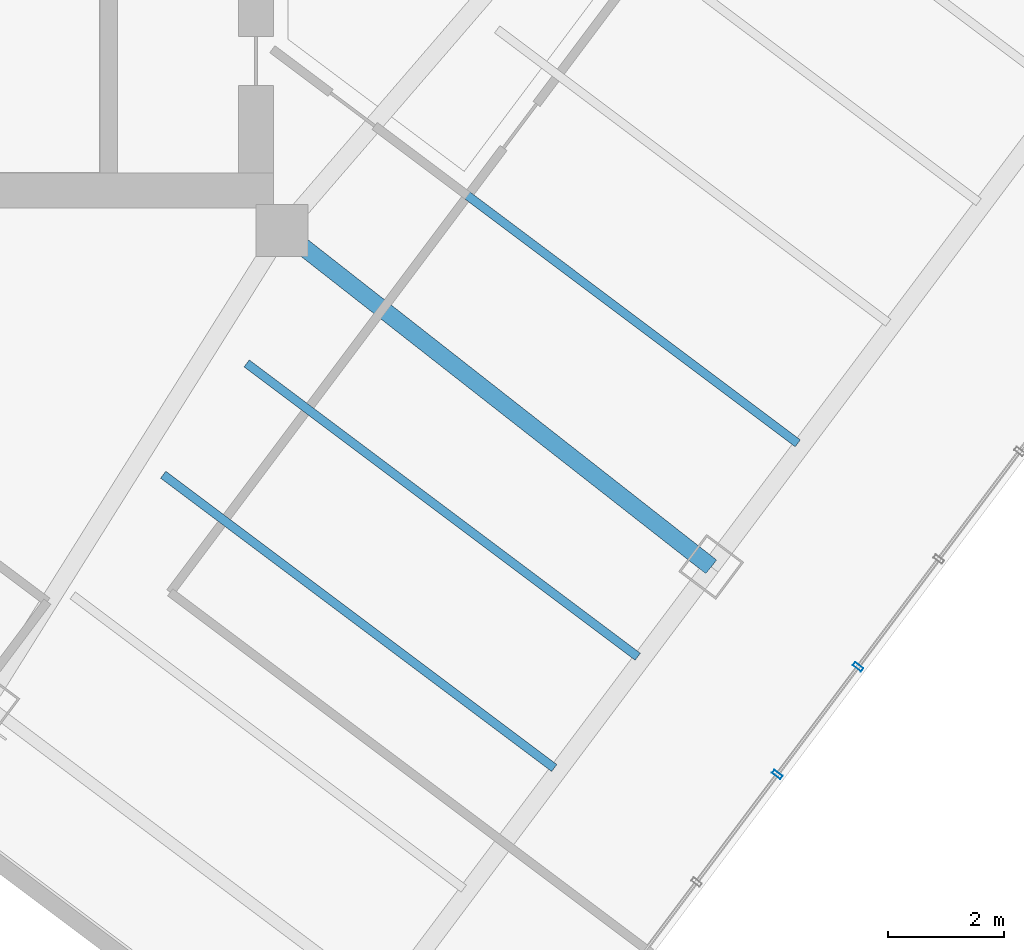
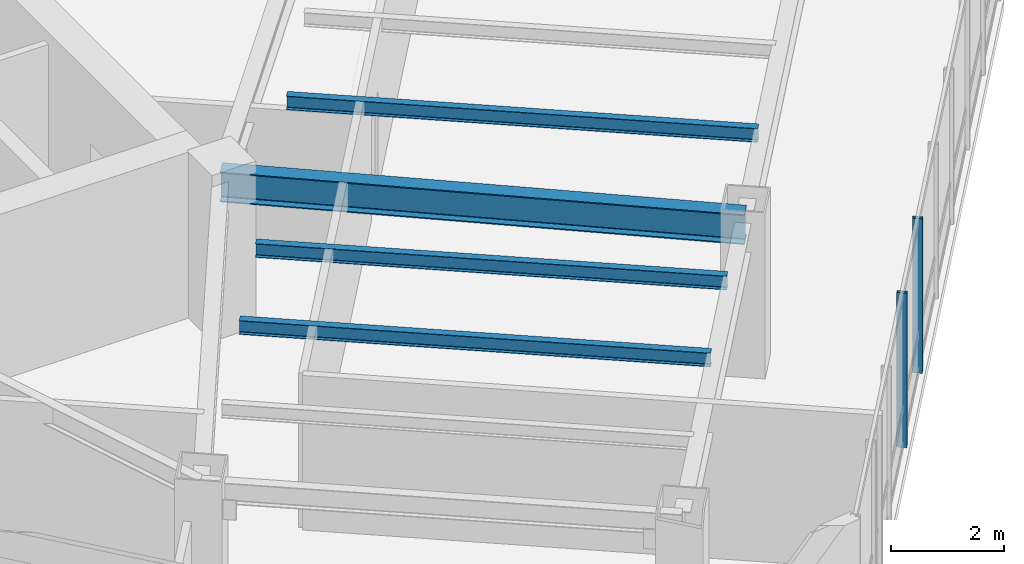
# One storey, part 11 of 26: 4 beams, 2 members, 1 element without a shape of its own.
"""IFC4 building model written with IfcOpenShell, lengths in metres."""

from ifc_helpers import new_model, si_unit, direction, frame, origin, origin_2d, place, context, subcontext, project, spatial, hollow_rectangle, i_section, extrude, material, layer, layer_set, material_profile, profile_set, type_object, element, aggregate, save


model = new_model("IFC4")

# Units and contexts
model_context = context("Model", 3, precision=1e-05, world=origin(), true_north=direction((0.0, 1.0)))
body_context = subcontext(model_context, "Body", "Model", "MODEL_VIEW")
ifc_project = project(units=[si_unit("LENGTHUNIT", "METRE"), si_unit("AREAUNIT", "SQUARE_METRE"), si_unit("VOLUMEUNIT", "CUBIC_METRE"), si_unit("PLANEANGLEUNIT", "RADIAN"), si_unit("MASSUNIT", "GRAM", prefix="KILO")], contexts=[model_context])

# Site, building, storey
site_placement = place(None, origin())
site = spatial("IfcSite", under=ifc_project, at=site_placement, CompositionType="ELEMENT")
building_placement = place(site_placement, origin())
building = spatial("IfcBuilding", under=site, at=building_placement, Name="Hatsunagi Terrace Concourse", CompositionType="ELEMENT")
storey_placement = place(building_placement, frame((0.0, 0.0, 152.85009765625)))
storey = spatial("IfcBuildingStorey", under=building, at=storey_placement, Name="L40", CompositionType="ELEMENT", Elevation=152.85009765625)

# Curtain wall, members
ifc_material_1 = material(Name="Anodised Aluminium Alloy 6063-T5", Category="aluminium")
ifc_layer = layer(ifc_material_1, 0.199951171875)
ifc_layer_set = layer_set([ifc_layer], Name="OfficeZone1_CW03")
curtain_wall_type = type_object("IfcCurtainWallType", Name="OfficeZone1_CW03", PredefinedType="NOTDEFINED", material=ifc_layer_set)
curtain_wall_placement = place(storey_placement, origin())
curtain_wall = element("IfcCurtainWall", 1, at=curtain_wall_placement, inside=storey, type_object=curtain_wall_type, Name="Unitised Curtain Wall CW-03 CW-L40-03", PredefinedType="NOTDEFINED")
ifc_material_2 = material(Name="Anodised Aluminium Alloy 6063-T5", Category="aluminium")
ifc_material_profile_1 = material_profile(ifc_material_2, hollow_rectangle(XDim=0.070068359375, YDim=0.179931640625, WallThickness=0.00390625, at=origin_2d()), Name="ALU-MUL-180x70x4")
ifc_profile_set_1 = profile_set([ifc_material_profile_1], Name="Anodised Aluminium Alloy 6063-T5")
member_type = type_object("IfcMemberType", Name="CurtainWallMullion_180x70", PredefinedType="MULLION", material=ifc_profile_set_1)
member_1_placement = place(storey_placement, frame((53.73193359375, 16.676025390625, 0.0), z_axis=(0.0, 0.0, 1.0), x_axis=(-0.599969314634, -0.800023013105, 0.0)))
member_1 = element("IfcMember", 2, at=member_1_placement, type_object=member_type, Name="Curtain Wall Mullion MUL-02", PredefinedType="MULLION", context=body_context, shape_type="SweptSolid", body=[
    extrude(hollow_rectangle(XDim=0.070068359375, YDim=0.179931640625, WallThickness=0.00390625, at=origin_2d()), origin(), (0.0, 0.0, 1.0), 3.349853515625),
])
member_2_placement = place(storey_placement, frame((52.340087890625, 14.819091796875, 0.0), z_axis=(0.0, 0.0, 1.0), x_axis=(-0.599969314634, -0.800023013105, 0.0)))
member_2 = element("IfcMember", 3, at=member_2_placement, type_object=member_type, Name="Curtain Wall Mullion MUL-02", PredefinedType="MULLION", context=body_context, shape_type="SweptSolid", body=[
    extrude(hollow_rectangle(XDim=0.070068359375, YDim=0.179931640625, WallThickness=0.00390625, at=origin_2d()), origin(), (0.0, 0.0, 1.0), 3.349853515625),
])
aggregate(curtain_wall, [member_1, member_2])

# Beams
ifc_material_3 = material(Name="Steel SN490B", Category="steel")
ifc_material_profile_2 = material_profile(ifc_material_3, i_section(OverallWidth=0.14990234375, OverallDepth=0.300048828125, WebThickness=0.006591796875, FlangeThickness=0.009033203125, FilletRadius=0.010986328125, at=origin_2d()), Name="H-300x150x6.5x9")
ifc_profile_set_2 = profile_set([ifc_material_profile_2], Name="Steel SN490B")
beam_type_1 = type_object("IfcBeamType", Name="OfficeJoist_H_300x150", PredefinedType="JOIST", material=ifc_profile_set_2)
for number, where, z_axis, x_axis, name in (
    (4, (41.748046875, 19.989013671875, 3.199951171875), (0.799989573921, -0.600013901187, 0.0), (0.600013901187, 0.799989573921, 0.0), "Beam J-03 J-L40-SE-2-72"),
    (5, (43.18798828125, 21.908935546875, 3.199951171875), (0.800003475366, -0.59999536615, 0.0), (0.59999536615, 0.800003475366, 0.0), "Beam J-03 J-L40-SE-2-96"),
    (6, (45.947998046875, 25.589111328125, 3.199951171875), (0.799989573921, -0.600013901187, 0.0), (0.600013901187, 0.799989573921, 0.0), "Beam J-03 J-L40-SE-2-142"),
):
    element("IfcBeam", number, at=place(storey_placement, frame(where, z_axis=z_axis, x_axis=x_axis)), inside=storey, type_object=beam_type_1, Name=name, PredefinedType="JOIST", context=body_context, shape_type="SweptSolid", body=[
        extrude(i_section(OverallWidth=0.14990234375, OverallDepth=0.300048828125, WebThickness=0.006591796875, FlangeThickness=0.009033203125, FilletRadius=0.010986328125, at=origin_2d()), origin(), (0.0, 0.0, 1.0), 8.429931640625),
    ])
ifc_material_4 = material(Name="Steel SN490B", Category="steel")
ifc_material_profile_3 = material_profile(ifc_material_4, i_section(OverallWidth=0.300048828125, OverallDepth=0.64990234375, WebThickness=0.012939453125, FlangeThickness=0.02197265625, FilletRadius=0.01806640625, at=origin_2d()), Name="H-650x300x13x22")
ifc_profile_set_3 = profile_set([ifc_material_profile_3], Name="Steel SN490B")
beam_type_2 = type_object("IfcBeamType", Name="OfficeLowGirder_H_650x300", PredefinedType="BEAM", material=ifc_profile_set_3)
beam_placement = place(storey_placement, frame((43.800048828125, 24.199951171875, 3.02490234375), z_axis=(0.787049441068, -0.616889923175, 0.0), x_axis=(0.616889923175, 0.787049441068, 0.0)))
element("IfcBeam", 7, at=beam_placement, inside=storey, type_object=beam_type_2, Name="Beam G-05 BM-L40-SE-M2", PredefinedType="BEAM", context=body_context, shape_type="SweptSolid", body=[
    extrude(i_section(OverallWidth=0.300048828125, OverallDepth=0.64990234375, WebThickness=0.012939453125, FlangeThickness=0.02197265625, FilletRadius=0.01806640625, at=origin_2d()), origin(), (0.0, 0.0, 1.0), 9.402099609375),
])

save(model, "model.ifc")
